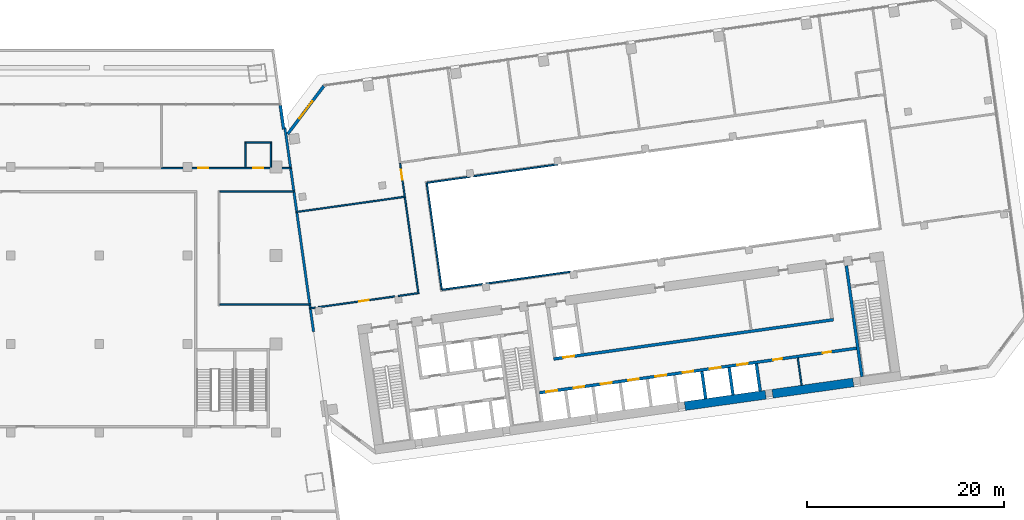
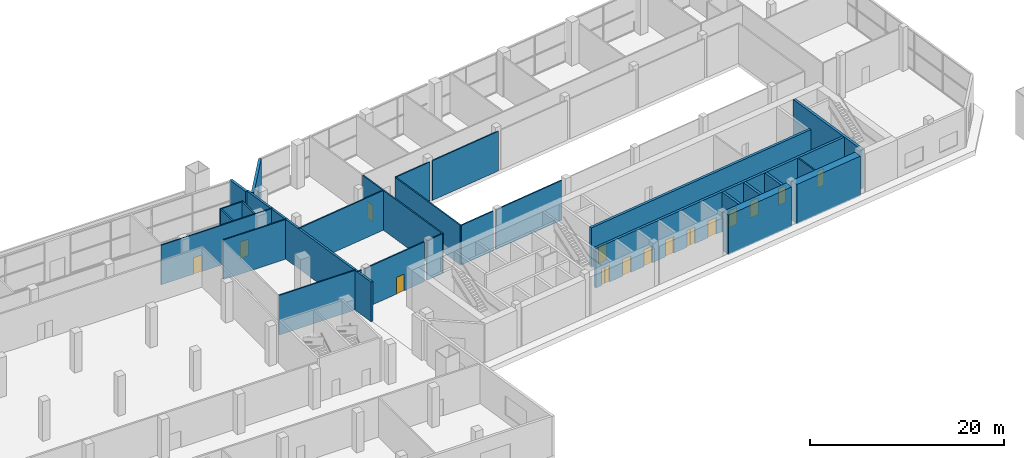
# One storey, part 16 of 23: 28 walls, 15 doors, 1 window, 16 openings.
"""IFC4 building model written with IfcOpenShell, lengths in metres."""

from ifc_helpers import new_model, si_unit, direction, frame, frame_2d, origin, place, context, subcontext, project, spatial, rectangle, extrude, material, layer, layer_set, type_object, element, fill, save


model = new_model("IFC4")

# Units and contexts
model_context = context("Model", 3, precision=1e-05, world=origin(), true_north=direction((0.0, 1.0)))
body_context = subcontext(model_context, "Body", "Model", "MODEL_VIEW")
ifc_project = project(units=[si_unit("LENGTHUNIT", "METRE"), si_unit("AREAUNIT", "SQUARE_METRE"), si_unit("VOLUMEUNIT", "CUBIC_METRE"), si_unit("PLANEANGLEUNIT", "RADIAN"), si_unit("MASSUNIT", "GRAM", prefix="KILO")], contexts=[model_context])

# Site, building, storey
site_placement = place(None, origin())
site = spatial("IfcSite", under=ifc_project, at=site_placement, CompositionType="ELEMENT")
building_placement = place(site_placement, origin())
building = spatial("IfcBuilding", under=site, at=building_placement, Name="Mirante Cascada Hotel Towers", CompositionType="ELEMENT")
storey_placement = place(building_placement, frame((0.0, 0.0, 23.5)))
storey = spatial("IfcBuildingStorey", under=building, at=storey_placement, Name="L03", CompositionType="ELEMENT", Elevation=23.5)

# Walls
ifc_material_1 = material(Name="Masonry block", Category="masonry")
ifc_layer_1 = layer(ifc_material_1, 0.15)
ifc_layer_set_1 = layer_set([ifc_layer_1], Name="Core room partition 150 block EI 30")
wall_type_1 = type_object("IfcWallType", Name="Core room partition 150 block EI 30", PredefinedType="PARTITIONING", material=ifc_layer_set_1)
wall_1_placement = place(storey_placement, frame((80.448, -13.1879, 0.0), z_axis=(0.0, 0.0, 1.0), x_axis=(-0.139176, 0.9902677, 0.0)))
element("IfcWall", 1, at=wall_1_placement, inside=storey, type_object=wall_type_1, Name="Core wall partition T2 L03 4", PredefinedType="PARTITIONING", context=body_context, shape_type="SweptSolid", body=[
    extrude(rectangle(XDim=2.8001, YDim=0.15, at=frame_2d((1.4, 0.0))), origin(), (0.0, 0.0, 1.0), 5.0),
])
ifc_material_2 = material(Name="Masonry block", Category="masonry")
ifc_layer_2 = layer(ifc_material_2, 0.15)
ifc_layer_set_2 = layer_set([ifc_layer_2], Name="Corridor wall 150 block")
wall_type_2 = type_object("IfcWallType", Name="Corridor wall 150 block", PredefinedType="PARTITIONING", material=ifc_layer_set_2)
wall_2_placement = place(storey_placement, frame((21.275, -5.0, 0.0), z_axis=(0.0, 0.0, 1.0), x_axis=(1.0, 0.0, 0.0)))
element("IfcWall", 2, at=wall_2_placement, inside=storey, type_object=wall_type_2, Name="Corridor wall P L03", PredefinedType="PARTITIONING", context=body_context, shape_type="SweptSolid", body=[
    extrude(rectangle(XDim=9.1466, YDim=0.15, at=frame_2d((4.5733, 0.0))), origin(), (0.0, 0.0, 1.0), 5.0),
])
wall_3_placement = place(storey_placement, frame((21.265, 6.5, 0.0), z_axis=(0.0, 0.0, 1.0), x_axis=(1.0, 0.0, 0.0)))
element("IfcWall", 3, at=wall_3_placement, inside=storey, type_object=wall_type_2, Name="Corridor wall P L03", PredefinedType="PARTITIONING", context=body_context, shape_type="SweptSolid", body=[
    extrude(rectangle(XDim=7.5404, YDim=0.15, at=frame_2d((3.7702, 0.0))), origin(), (0.0, 0.0, 1.0), 5.0),
])

# Wall, opening, door
wall_4_placement = place(storey_placement, frame((39.6107, 9.3732, 0.0), z_axis=(0.0, 0.0, 1.0), x_axis=(0.1391716, -0.9902683, 0.0)))
wall_4 = element("IfcWall", 4, at=wall_4_placement, inside=storey, type_object=wall_type_2, Name="Corridor wall T2 L03", PredefinedType="PARTITIONING", context=body_context, shape_type="SweptSolid", body=[
    extrude(rectangle(XDim=13.4, YDim=0.15, at=frame_2d((6.7, 0.0))), origin(), (0.0, 0.0, 1.0), 5.0),
])
opening_1_placement = place(wall_4_placement, frame((0.6675, 0.0, 0.0)))
opening_1 = element("IfcOpeningElement", 5, at=opening_1_placement, cuts=wall_4, Name="Opening DP2-L03-02", PredefinedType="OPENING", context=body_context, shape_type="SweptSolid", body=[
    extrude(rectangle(XDim=1.0, YDim=2.1, at=frame_2d((0.5, 1.05))), frame((0.0, 0.075, 0.0), z_axis=(0.0, -1.0, 0.0), x_axis=(1.0, 0.0, 0.0)), (0.0, 0.0, 1.0), 0.15),
])
ifc_material_3 = material(Name="Timber door leaf", Category="wood")
door_type_1 = type_object("IfcDoorType", Name="Single door 1000x2100", OperationType="NOTDEFINED", PredefinedType="DOOR", material=ifc_material_3)
door_1_placement = place(opening_1_placement, frame((1.0, 0.0, 0.0), z_axis=(0.0, 0.0, 1.0), x_axis=(-1.0, 0.0, 0.0)))
door_1 = element("IfcDoor", 6, at=door_1_placement, inside=storey, type_object=door_type_1, Name="Door DP2-L03-02", OperationType="SINGLE_SWING_RIGHT", OverallHeight=2.1, OverallWidth=1.0, PredefinedType="DOOR", context=body_context, shape_type="SweptSolid", body=[
    extrude(rectangle(XDim=1.0, YDim=2.1, at=frame_2d((0.5, 1.05))), frame((0.0, 0.025, 0.0), z_axis=(0.0, -1.0, 0.0), x_axis=(1.0, 0.0, 0.0)), (0.0, 0.0, 1.0), 0.05),
])
fill(opening_1, door_1)

# Walls
wall_5_placement = place(storey_placement, frame((42.3151, 7.3752, 0.0), z_axis=(0.0, 0.0, 1.0), x_axis=(0.1391674, -0.9902689, 0.0)))
element("IfcWall", 7, at=wall_5_placement, inside=storey, type_object=wall_type_2, Name="Corridor wall T2 L03", PredefinedType="PARTITIONING", context=body_context, shape_type="SweptSolid", body=[
    extrude(rectangle(XDim=10.9401, YDim=0.15, at=frame_2d((5.47, 0.0))), origin(), (0.0, 0.0, 1.0), 5.0),
])
wall_6_placement = place(storey_placement, frame((30.4732, -5.3669, 0.0), z_axis=(0.0, 0.0, 1.0), x_axis=(0.9902657, 0.1391899, 0.0)))
element("IfcWall", 8, at=wall_6_placement, inside=storey, type_object=wall_type_2, Name="Corridor wall T2 L03", PredefinedType="PARTITIONING", context=body_context, shape_type="SweptSolid", body=[
    extrude(rectangle(XDim=0.4957, YDim=0.15, at=frame_2d((0.2478, 0.0))), origin(), (0.0, 0.0, 1.0), 5.0),
])
wall_7_placement = place(storey_placement, frame((43.8715, -3.4839, 0.0), z_axis=(0.0, 0.0, 1.0), x_axis=(0.9902667, 0.1391827, 0.0)))
element("IfcWall", 9, at=wall_7_placement, inside=storey, type_object=wall_type_2, Name="Corridor wall T2 L03", PredefinedType="PARTITIONING", context=body_context, shape_type="SweptSolid", body=[
    extrude(rectangle(XDim=4.1657, YDim=0.15, at=frame_2d((2.0828, 0.0))), origin(), (0.0, 0.0, 1.0), 5.0),
])
wall_8_placement = place(storey_placement, frame((42.3406, 7.409, 0.0), z_axis=(0.0, 0.0, 1.0), x_axis=(0.9902682, 0.1391725, 0.0)))
element("IfcWall", 10, at=wall_8_placement, inside=storey, type_object=wall_type_2, Name="Corridor wall T2 L03", PredefinedType="PARTITIONING", context=body_context, shape_type="SweptSolid", body=[
    extrude(rectangle(XDim=4.4456, YDim=0.15, at=frame_2d((2.2228, 0.0))), origin(), (0.0, 0.0, 1.0), 5.0),
])

# Wall, opening, door
wall_9_placement = place(storey_placement, frame((31.2896, -5.2522, 0.0), z_axis=(0.0, 0.0, 1.0), x_axis=(0.9902676, 0.1391764, 0.0)))
wall_9 = element("IfcWall", 11, at=wall_9_placement, inside=storey, type_object=wall_type_2, Name="Corridor wall T2 L03", PredefinedType="PARTITIONING", context=body_context, shape_type="SweptSolid", body=[
    extrude(rectangle(XDim=7.8713, YDim=0.15, at=frame_2d((3.9356, 0.0))), origin(), (0.0, 0.0, 1.0), 5.0),
])
opening_2_placement = place(wall_9_placement, frame((4.193, 0.0, 0.0)))
opening_2 = element("IfcOpeningElement", 12, at=opening_2_placement, cuts=wall_9, Name="Opening DP2-L03-01", PredefinedType="OPENING", context=body_context, shape_type="SweptSolid", body=[
    extrude(rectangle(XDim=1.0, YDim=2.1, at=frame_2d((0.5, 1.05))), frame((0.0, 0.075, 0.0), z_axis=(0.0, -1.0, 0.0), x_axis=(1.0, 0.0, 0.0)), (0.0, 0.0, 1.0), 0.15),
])
door_2_placement = place(opening_2_placement, frame((1.0, 0.0, 0.0), z_axis=(0.0, 0.0, 1.0), x_axis=(-1.0, 0.0, 0.0)))
door_2 = element("IfcDoor", 13, at=door_2_placement, inside=storey, type_object=door_type_1, Name="Door DP2-L03-01", OperationType="SINGLE_SWING_LEFT", OverallHeight=2.1, OverallWidth=1.0, PredefinedType="DOOR", context=body_context, shape_type="SweptSolid", body=[
    extrude(rectangle(XDim=1.0, YDim=2.1, at=frame_2d((0.5, 1.05))), frame((0.0, 0.025, 0.0), z_axis=(0.0, -1.0, 0.0), x_axis=(1.0, 0.0, 0.0)), (0.0, 0.0, 1.0), 0.05),
])
fill(opening_2, door_2)

# Walls
wall_10_placement = place(storey_placement, frame((39.4096, -4.1109, 0.0), z_axis=(0.0, 0.0, 1.0), x_axis=(0.9902711, 0.1391512, 0.0)))
element("IfcWall", 14, at=wall_10_placement, inside=storey, type_object=wall_type_2, Name="Corridor wall T2 L03", PredefinedType="PARTITIONING", context=body_context, shape_type="SweptSolid", body=[
    extrude(rectangle(XDim=2.0108, YDim=0.15, at=frame_2d((1.0054, 0.0))), origin(), (0.0, 0.0, 1.0), 5.0),
])
wall_11_placement = place(storey_placement, frame((48.3223, -2.8584, 0.0), z_axis=(0.0, 0.0, 1.0), x_axis=(0.990268, 0.1391735, 0.0)))
element("IfcWall", 15, at=wall_11_placement, inside=storey, type_object=wall_type_2, Name="Corridor wall T2 L03", PredefinedType="PARTITIONING", context=body_context, shape_type="SweptSolid", body=[
    extrude(rectangle(XDim=8.6712, YDim=0.15, at=frame_2d((4.3356, 0.0))), origin(), (0.0, 0.0, 1.0), 5.0),
])
wall_12_placement = place(storey_placement, frame((47.0684, 8.0735, 0.0), z_axis=(0.0, 0.0, 1.0), x_axis=(0.9902682, 0.139172, 0.0)))
element("IfcWall", 16, at=wall_12_placement, inside=storey, type_object=wall_type_2, Name="Corridor wall T2 L03", PredefinedType="PARTITIONING", context=body_context, shape_type="SweptSolid", body=[
    extrude(rectangle(XDim=8.6713, YDim=0.15, at=frame_2d((4.3356, 0.0))), origin(), (0.0, 0.0, 1.0), 5.0),
])
ifc_material_4 = material(Name="Masonry block", Category="masonry")
ifc_layer_3 = layer(ifc_material_4, 0.15)
ifc_layer_set_3 = layer_set([ifc_layer_3], Name="Partition 150 block")
wall_type_3 = type_object("IfcWallType", Name="Partition 150 block", PredefinedType="PARTITIONING", material=ifc_layer_set_3)
wall_13_placement = place(storey_placement, frame((29.0954, 4.4367, 0.0), z_axis=(0.0, 0.0, 1.0), x_axis=(0.9902679, 0.1391746, 0.0)))
element("IfcWall", 17, at=wall_13_placement, inside=storey, type_object=wall_type_3, Name="Partition T2 L03", PredefinedType="PARTITIONING", context=body_context, shape_type="SweptSolid", body=[
    extrude(rectangle(XDim=11.025, YDim=0.15, at=frame_2d((5.5125, 0.0))), origin(), (0.0, 0.0, 1.0), 5.0),
])
ifc_material_5 = material(Name="Masonry block", Category="masonry")
ifc_layer_4 = layer(ifc_material_5, 0.25)
ifc_layer_set_4 = layer_set([ifc_layer_4], Name="Plant room wall 250 block EI 120")
wall_type_4 = type_object("IfcWallType", Name="Plant room wall 250 block EI 120", PredefinedType="PARTITIONING", material=ifc_layer_set_4)
wall_14_placement = place(storey_placement, frame((30.8072, -7.7436, 0.0), z_axis=(0.0, 0.0, 1.0), x_axis=(-0.1391737, 0.990268, 0.0)))
element("IfcWall", 18, at=wall_14_placement, inside=storey, type_object=wall_type_4, Name="Compartment wall T2 L03", PredefinedType="PARTITIONING", context=body_context, shape_type="SweptSolid", body=[
    extrude(rectangle(XDim=20.9501, YDim=0.25, at=frame_2d((10.475, 0.0))), origin(), (0.0, 0.0, 1.0), 5.0),
])

# Wall, opening, window
ifc_material_6 = material(Name="Precast concrete C40/50", Category="concrete")
ifc_layer_5 = layer(ifc_material_6, 0.3)
ifc_layer_set_5 = layer_set([ifc_layer_5], Name="Precast concrete C40/50 cladding wall 300")
wall_type_5 = type_object("IfcWallType", Name="Precast concrete C40/50 cladding wall 300", PredefinedType="STANDARD", material=ifc_layer_set_5)
wall_15_placement = place(storey_placement, frame((31.857, 17.252, 0.0), z_axis=(0.0, 0.0, 1.0), x_axis=(-0.6018141, -0.7986362, 0.0)))
wall_15 = element("IfcWall", 19, at=wall_15_placement, inside=storey, type_object=wall_type_5, Name="Corner cladding wall T2 L03 front inner", PredefinedType="STANDARD", context=body_context, shape_type="SweptSolid", body=[
    extrude(rectangle(XDim=6.1157, YDim=0.3, at=frame_2d((3.0578, 0.0))), origin(), (0.0, 0.0, 1.0), 5.0),
])
opening_3_placement = place(wall_15_placement, frame((1.9578, 0.0, 0.6)))
opening_3 = element("IfcOpeningElement", 20, at=opening_3_placement, cuts=wall_15, Name="Opening W2-03-04", PredefinedType="OPENING", context=body_context, shape_type="SweptSolid", body=[
    extrude(rectangle(XDim=2.2, YDim=2.4, at=frame_2d((1.1, 1.2))), frame((0.0, 0.15, 0.0), z_axis=(0.0, -1.0, 0.0), x_axis=(1.0, 0.0, 0.0)), (0.0, 0.0, 1.0), 0.3),
])
ifc_material_7 = material(Name="Aluminium frame with clear double glazing", Category="aluminium")
window_type = type_object("IfcWindowType", Name="Corner suite window 2200x2400", PartitioningType="DOUBLE_PANEL_VERTICAL", PredefinedType="WINDOW", material=ifc_material_7)
window_placement = place(opening_3_placement, origin())
window = element("IfcWindow", 21, at=window_placement, inside=storey, type_object=window_type, Name="Window W2-03-04", OverallHeight=2.4, OverallWidth=2.2, PartitioningType="SINGLE_PANEL", PredefinedType="WINDOW", context=body_context, shape_type="SweptSolid", body=[
    extrude(rectangle(XDim=2.2, YDim=2.4, at=frame_2d((1.1, 1.2))), frame((0.0, 0.03, 0.0), z_axis=(0.0, -1.0, 0.0), x_axis=(1.0, 0.0, 0.0)), (0.0, 0.0, 1.0), 0.06),
])
fill(opening_3, window)

# Walls
wall_16_placement = place(storey_placement, frame((27.3892, 15.4989, 0.0), z_axis=(0.0, 0.0, 1.0), x_axis=(0.1391889, -0.9902659, 0.0)))
element("IfcWall", 22, at=wall_16_placement, inside=storey, type_object=wall_type_5, Name="Corner closure wall L03 2.1", PredefinedType="STANDARD", context=body_context, shape_type="SweptSolid", body=[
    extrude(rectangle(XDim=2.6719, YDim=0.3, at=frame_2d((1.336, 0.0))), origin(), (0.0, 0.0, 1.0), 5.0),
])
ifc_material_8 = material(Name="Concrete C50/60", Category="concrete")
ifc_layer_6 = layer(ifc_material_8, 0.3)
ifc_layer_set_6 = layer_set([ifc_layer_6], Name="RC core wall 300 C50/60")
wall_type_6 = type_object("IfcWallType", Name="RC core wall 300 C50/60", PredefinedType="SHEAR", material=ifc_layer_set_6)
wall_17_placement = place(storey_placement, frame((86.5877, -12.325, 0.0), z_axis=(0.0, 0.0, 1.0), x_axis=(-0.1391749, 0.9902678, 0.0)))
element("IfcWall", 23, at=wall_17_placement, inside=storey, type_object=wall_type_6, Name="Core wall T2:L03:8", PredefinedType="SHEAR", context=body_context, shape_type="SweptSolid", body=[
    extrude(rectangle(XDim=11.4, YDim=0.3, at=frame_2d((5.7, 0.0))), origin(), (0.0, 0.0, 1.0), 5.0),
])

# Wall, openings, doors
wall_18_placement = place(storey_placement, frame((53.7953, -13.9547, 0.0), z_axis=(0.0, 0.0, 1.0), x_axis=(0.990268, 0.1391733, 0.0)))
wall_18 = element("IfcWall", 24, at=wall_18_placement, inside=storey, type_object=wall_type_6, Name="Core wall T2:L03:24", PredefinedType="SHEAR", context=body_context, shape_type="SweptSolid", body=[
    extrude(rectangle(XDim=32.5501, YDim=0.3, at=frame_2d((16.275, 0.0))), origin(), (0.0, 0.0, 1.0), 5.0),
])
opening_4_placement = place(wall_18_placement, frame((0.7, 0.0, 0.0)))
opening_4 = element("IfcOpeningElement", 25, at=opening_4_placement, cuts=wall_18, Name="Opening LD", PredefinedType="OPENING", context=body_context, shape_type="SweptSolid", body=[
    extrude(rectangle(XDim=1.1, YDim=2.1, at=frame_2d((0.55, 1.05))), frame((0.0, 0.15, 0.0), z_axis=(0.0, -1.0, 0.0), x_axis=(1.0, 0.0, 0.0)), (0.0, 0.0, 1.0), 0.3),
])
opening_5_placement = place(wall_18_placement, frame((3.5, 0.0, 0.0)))
opening_5 = element("IfcOpeningElement", 26, at=opening_5_placement, cuts=wall_18, Name="Opening LD", PredefinedType="OPENING", context=body_context, shape_type="SweptSolid", body=[
    extrude(rectangle(XDim=1.1, YDim=2.1, at=frame_2d((0.55, 1.05))), frame((0.0, 0.15, 0.0), z_axis=(0.0, -1.0, 0.0), x_axis=(1.0, 0.0, 0.0)), (0.0, 0.0, 1.0), 0.3),
])
opening_6_placement = place(wall_18_placement, frame((6.3, 0.0, 0.0)))
opening_6 = element("IfcOpeningElement", 27, at=opening_6_placement, cuts=wall_18, Name="Opening LD", PredefinedType="OPENING", context=body_context, shape_type="SweptSolid", body=[
    extrude(rectangle(XDim=1.1, YDim=2.1, at=frame_2d((0.55, 1.05))), frame((0.0, 0.15, 0.0), z_axis=(0.0, -1.0, 0.0), x_axis=(1.0, 0.0, 0.0)), (0.0, 0.0, 1.0), 0.3),
])
opening_7_placement = place(wall_18_placement, frame((9.1, 0.0, 0.0)))
opening_7 = element("IfcOpeningElement", 28, at=opening_7_placement, cuts=wall_18, Name="Opening LD", PredefinedType="OPENING", context=body_context, shape_type="SweptSolid", body=[
    extrude(rectangle(XDim=1.1, YDim=2.1, at=frame_2d((0.55, 1.05))), frame((0.0, 0.15, 0.0), z_axis=(0.0, -1.0, 0.0), x_axis=(1.0, 0.0, 0.0)), (0.0, 0.0, 1.0), 0.3),
])
opening_8_placement = place(wall_18_placement, frame((11.9, 0.0, 0.0)))
opening_8 = element("IfcOpeningElement", 29, at=opening_8_placement, cuts=wall_18, Name="Opening LD", PredefinedType="OPENING", context=body_context, shape_type="SweptSolid", body=[
    extrude(rectangle(XDim=1.1, YDim=2.1, at=frame_2d((0.55, 1.05))), frame((0.0, 0.15, 0.0), z_axis=(0.0, -1.0, 0.0), x_axis=(1.0, 0.0, 0.0)), (0.0, 0.0, 1.0), 0.3),
])
opening_9_placement = place(wall_18_placement, frame((14.7, 0.0, 0.0)))
opening_9 = element("IfcOpeningElement", 30, at=opening_9_placement, cuts=wall_18, Name="Opening LD", PredefinedType="OPENING", context=body_context, shape_type="SweptSolid", body=[
    extrude(rectangle(XDim=1.1, YDim=2.1, at=frame_2d((0.55, 1.05))), frame((0.0, 0.15, 0.0), z_axis=(0.0, -1.0, 0.0), x_axis=(1.0, 0.0, 0.0)), (0.0, 0.0, 1.0), 0.3),
])
opening_10_placement = place(wall_18_placement, frame((17.5, 0.0, 0.0)))
opening_10 = element("IfcOpeningElement", 31, at=opening_10_placement, cuts=wall_18, Name="Opening LD", PredefinedType="OPENING", context=body_context, shape_type="SweptSolid", body=[
    extrude(rectangle(XDim=1.1, YDim=2.1, at=frame_2d((0.55, 1.05))), frame((0.0, 0.15, 0.0), z_axis=(0.0, -1.0, 0.0), x_axis=(1.0, 0.0, 0.0)), (0.0, 0.0, 1.0), 0.3),
])
opening_11_placement = place(wall_18_placement, frame((20.3, 0.0, 0.0)))
opening_11 = element("IfcOpeningElement", 32, at=opening_11_placement, cuts=wall_18, Name="Opening LD", PredefinedType="OPENING", context=body_context, shape_type="SweptSolid", body=[
    extrude(rectangle(XDim=1.1, YDim=2.1, at=frame_2d((0.55, 1.05))), frame((0.0, 0.15, 0.0), z_axis=(0.0, -1.0, 0.0), x_axis=(1.0, 0.0, 0.0)), (0.0, 0.0, 1.0), 0.3),
])
opening_12_placement = place(wall_18_placement, frame((24.0, 0.0, 0.0)))
opening_12 = element("IfcOpeningElement", 33, at=opening_12_placement, cuts=wall_18, Name="Opening D2-03-C28", PredefinedType="OPENING", context=body_context, shape_type="SweptSolid", body=[
    extrude(rectangle(XDim=0.9, YDim=2.1, at=frame_2d((0.45, 1.05))), frame((0.0, 0.15, 0.0), z_axis=(0.0, -1.0, 0.0), x_axis=(1.0, 0.0, 0.0)), (0.0, 0.0, 1.0), 0.3),
])
opening_13_placement = place(wall_18_placement, frame((29.075, 0.0, 0.0)))
opening_13 = element("IfcOpeningElement", 34, at=opening_13_placement, cuts=wall_18, Name="Opening D2-03-C29", PredefinedType="OPENING", context=body_context, shape_type="SweptSolid", body=[
    extrude(rectangle(XDim=0.9, YDim=2.1, at=frame_2d((0.45, 1.05))), frame((0.0, 0.15, 0.0), z_axis=(0.0, -1.0, 0.0), x_axis=(1.0, 0.0, 0.0)), (0.0, 0.0, 1.0), 0.3),
])
ifc_material_9 = material(Name="Hollow metal fire door leaf")
door_type_2 = type_object("IfcDoorType", Name="Fire door 900x2100 FD60", OperationType="NOTDEFINED", PredefinedType="DOOR", material=ifc_material_9)
door_3_placement = place(opening_12_placement, frame((0.9, 0.0, 0.0), z_axis=(0.0, 0.0, 1.0), x_axis=(-1.0, 0.0, 0.0)))
door_3 = element("IfcDoor", 35, at=door_3_placement, inside=storey, type_object=door_type_2, Name="Room door T2 L03 28", OperationType="SINGLE_SWING_RIGHT", OverallHeight=2.1, OverallWidth=0.9, PredefinedType="DOOR", context=body_context, shape_type="SweptSolid", body=[
    extrude(rectangle(XDim=0.9, YDim=2.1, at=frame_2d((0.45, 1.05))), frame((0.0, 0.025, 0.0), z_axis=(0.0, -1.0, 0.0), x_axis=(1.0, 0.0, 0.0)), (0.0, 0.0, 1.0), 0.05),
])
fill(opening_12, door_3)
door_4_placement = place(opening_13_placement, frame((0.9, 0.0, 0.0), z_axis=(0.0, 0.0, 1.0), x_axis=(-1.0, 0.0, 0.0)))
door_4 = element("IfcDoor", 36, at=door_4_placement, inside=storey, type_object=door_type_2, Name="Room door T2 L03 29", OperationType="SINGLE_SWING_RIGHT", OverallHeight=2.1, OverallWidth=0.9, PredefinedType="DOOR", context=body_context, shape_type="SweptSolid", body=[
    extrude(rectangle(XDim=0.9, YDim=2.1, at=frame_2d((0.45, 1.05))), frame((0.0, 0.025, 0.0), z_axis=(0.0, -1.0, 0.0), x_axis=(1.0, 0.0, 0.0)), (0.0, 0.0, 1.0), 0.05),
])
fill(opening_13, door_4)
ifc_material_10 = material(Name="Stainless steel", Category="steel")
door_type_3 = type_object("IfcDoorType", Name="Lift landing door 1100x2100 EI 120", OperationType="DOUBLE_DOOR_SLIDING", PredefinedType="DOOR", material=ifc_material_10)
door_5_placement = place(opening_4_placement, origin())
door_5 = element("IfcDoor", 37, at=door_5_placement, inside=storey, type_object=door_type_3, Name="Lift landing door LR2-1 L03", OperationType="DOUBLE_DOOR_SLIDING", OverallHeight=2.1, OverallWidth=1.1, PredefinedType="DOOR", context=body_context, shape_type="SweptSolid", body=[
    extrude(rectangle(XDim=0.545, YDim=2.1, at=frame_2d((0.2725, 1.05))), frame((0.0, 0.025, 0.0), z_axis=(0.0, -1.0, 0.0), x_axis=(1.0, 0.0, 0.0)), (0.0, 0.0, 1.0), 0.05),
    extrude(rectangle(XDim=0.545, YDim=2.1, at=frame_2d((0.8275, 1.05))), frame((0.0, 0.025, 0.0), z_axis=(0.0, -1.0, 0.0), x_axis=(1.0, 0.0, 0.0)), (0.0, 0.0, 1.0), 0.05),
])
fill(opening_4, door_5)
door_6_placement = place(opening_5_placement, origin())
door_6 = element("IfcDoor", 38, at=door_6_placement, inside=storey, type_object=door_type_3, Name="Lift landing door LR2-2 L03", OperationType="DOUBLE_DOOR_SLIDING", OverallHeight=2.1, OverallWidth=1.1, PredefinedType="DOOR", context=body_context, shape_type="SweptSolid", body=[
    extrude(rectangle(XDim=0.545, YDim=2.1, at=frame_2d((0.2725, 1.05))), frame((0.0, 0.025, 0.0), z_axis=(0.0, -1.0, 0.0), x_axis=(1.0, 0.0, 0.0)), (0.0, 0.0, 1.0), 0.05),
    extrude(rectangle(XDim=0.545, YDim=2.1, at=frame_2d((0.8275, 1.05))), frame((0.0, 0.025, 0.0), z_axis=(0.0, -1.0, 0.0), x_axis=(1.0, 0.0, 0.0)), (0.0, 0.0, 1.0), 0.05),
])
fill(opening_5, door_6)
door_7_placement = place(opening_6_placement, origin())
door_7 = element("IfcDoor", 39, at=door_7_placement, inside=storey, type_object=door_type_3, Name="Lift landing door SV2-1 L03", OperationType="DOUBLE_DOOR_SLIDING", OverallHeight=2.1, OverallWidth=1.1, PredefinedType="DOOR", context=body_context, shape_type="SweptSolid", body=[
    extrude(rectangle(XDim=0.545, YDim=2.1, at=frame_2d((0.2725, 1.05))), frame((0.0, 0.025, 0.0), z_axis=(0.0, -1.0, 0.0), x_axis=(1.0, 0.0, 0.0)), (0.0, 0.0, 1.0), 0.05),
    extrude(rectangle(XDim=0.545, YDim=2.1, at=frame_2d((0.8275, 1.05))), frame((0.0, 0.025, 0.0), z_axis=(0.0, -1.0, 0.0), x_axis=(1.0, 0.0, 0.0)), (0.0, 0.0, 1.0), 0.05),
])
fill(opening_6, door_7)
door_8_placement = place(opening_7_placement, origin())
door_8 = element("IfcDoor", 40, at=door_8_placement, inside=storey, type_object=door_type_3, Name="Lift landing door SV2-2 L03", OperationType="DOUBLE_DOOR_SLIDING", OverallHeight=2.1, OverallWidth=1.1, PredefinedType="DOOR", context=body_context, shape_type="SweptSolid", body=[
    extrude(rectangle(XDim=0.545, YDim=2.1, at=frame_2d((0.2725, 1.05))), frame((0.0, 0.025, 0.0), z_axis=(0.0, -1.0, 0.0), x_axis=(1.0, 0.0, 0.0)), (0.0, 0.0, 1.0), 0.05),
    extrude(rectangle(XDim=0.545, YDim=2.1, at=frame_2d((0.8275, 1.05))), frame((0.0, 0.025, 0.0), z_axis=(0.0, -1.0, 0.0), x_axis=(1.0, 0.0, 0.0)), (0.0, 0.0, 1.0), 0.05),
])
fill(opening_7, door_8)
door_9_placement = place(opening_8_placement, origin())
door_9 = element("IfcDoor", 41, at=door_9_placement, inside=storey, type_object=door_type_3, Name="Lift landing door SV2-3 L03", OperationType="DOUBLE_DOOR_SLIDING", OverallHeight=2.1, OverallWidth=1.1, PredefinedType="DOOR", context=body_context, shape_type="SweptSolid", body=[
    extrude(rectangle(XDim=0.545, YDim=2.1, at=frame_2d((0.2725, 1.05))), frame((0.0, 0.025, 0.0), z_axis=(0.0, -1.0, 0.0), x_axis=(1.0, 0.0, 0.0)), (0.0, 0.0, 1.0), 0.05),
    extrude(rectangle(XDim=0.545, YDim=2.1, at=frame_2d((0.8275, 1.05))), frame((0.0, 0.025, 0.0), z_axis=(0.0, -1.0, 0.0), x_axis=(1.0, 0.0, 0.0)), (0.0, 0.0, 1.0), 0.05),
])
fill(opening_8, door_9)
door_10_placement = place(opening_9_placement, origin())
door_10 = element("IfcDoor", 42, at=door_10_placement, inside=storey, type_object=door_type_3, Name="Lift landing door SV2-4 L03", OperationType="DOUBLE_DOOR_SLIDING", OverallHeight=2.1, OverallWidth=1.1, PredefinedType="DOOR", context=body_context, shape_type="SweptSolid", body=[
    extrude(rectangle(XDim=0.545, YDim=2.1, at=frame_2d((0.2725, 1.05))), frame((0.0, 0.025, 0.0), z_axis=(0.0, -1.0, 0.0), x_axis=(1.0, 0.0, 0.0)), (0.0, 0.0, 1.0), 0.05),
    extrude(rectangle(XDim=0.545, YDim=2.1, at=frame_2d((0.8275, 1.05))), frame((0.0, 0.025, 0.0), z_axis=(0.0, -1.0, 0.0), x_axis=(1.0, 0.0, 0.0)), (0.0, 0.0, 1.0), 0.05),
])
fill(opening_9, door_10)
door_11_placement = place(opening_10_placement, origin())
door_11 = element("IfcDoor", 43, at=door_11_placement, inside=storey, type_object=door_type_3, Name="Lift landing door PS2-1 L03", OperationType="DOUBLE_DOOR_SLIDING", OverallHeight=2.1, OverallWidth=1.1, PredefinedType="DOOR", context=body_context, shape_type="SweptSolid", body=[
    extrude(rectangle(XDim=0.545, YDim=2.1, at=frame_2d((0.2725, 1.05))), frame((0.0, 0.025, 0.0), z_axis=(0.0, -1.0, 0.0), x_axis=(1.0, 0.0, 0.0)), (0.0, 0.0, 1.0), 0.05),
    extrude(rectangle(XDim=0.545, YDim=2.1, at=frame_2d((0.8275, 1.05))), frame((0.0, 0.025, 0.0), z_axis=(0.0, -1.0, 0.0), x_axis=(1.0, 0.0, 0.0)), (0.0, 0.0, 1.0), 0.05),
])
fill(opening_10, door_11)
door_12_placement = place(opening_11_placement, origin())
door_12 = element("IfcDoor", 44, at=door_12_placement, inside=storey, type_object=door_type_3, Name="Lift landing door PS2-2 L03", OperationType="DOUBLE_DOOR_SLIDING", OverallHeight=2.1, OverallWidth=1.1, PredefinedType="DOOR", context=body_context, shape_type="SweptSolid", body=[
    extrude(rectangle(XDim=0.545, YDim=2.1, at=frame_2d((0.2725, 1.05))), frame((0.0, 0.025, 0.0), z_axis=(0.0, -1.0, 0.0), x_axis=(1.0, 0.0, 0.0)), (0.0, 0.0, 1.0), 0.05),
    extrude(rectangle(XDim=0.545, YDim=2.1, at=frame_2d((0.8275, 1.05))), frame((0.0, 0.025, 0.0), z_axis=(0.0, -1.0, 0.0), x_axis=(1.0, 0.0, 0.0)), (0.0, 0.0, 1.0), 0.05),
])
fill(opening_11, door_12)

# Walls
for number, where, z_axis, x_axis, name in (
    (45, (70.6939, -14.5587, 0.0), (0.0, 0.0, 1.0), (-0.139181, 0.990267, 0.0), "Core wall T2:L03:30"),
    (46, (73.4666, -14.169, 0.0), (0.0, 0.0, 1.0), (-0.139181, 0.990267, 0.0), "Core wall T2:L03:31"),
):
    element("IfcWall", number, at=place(storey_placement, frame(where, z_axis=z_axis, x_axis=x_axis)), inside=storey, type_object=wall_type_6, Name=name, PredefinedType="SHEAR", context=body_context, shape_type="SweptSolid", body=[
        extrude(rectangle(XDim=2.8, YDim=0.3, at=frame_2d((1.4, 0.0))), origin(), (0.0, 0.0, 1.0), 5.0),
    ])
wall_19_placement = place(storey_placement, frame((76.2394, -13.7794, 0.0), z_axis=(0.0, 0.0, 1.0), x_axis=(-0.139176, 0.9902677, 0.0)))
element("IfcWall", 47, at=wall_19_placement, inside=storey, type_object=wall_type_6, Name="Core wall T2:L03:32", PredefinedType="SHEAR", context=body_context, shape_type="SweptSolid", body=[
    extrude(rectangle(XDim=2.8001, YDim=0.3, at=frame_2d((1.4, 0.0))), origin(), (0.0, 0.0, 1.0), 5.0),
])

# Wall, opening, door
wall_20_placement = place(storey_placement, frame((55.2315, -10.5214, 0.0), z_axis=(0.0, 0.0, 1.0), x_axis=(0.9902682, 0.1391722, 0.0)))
wall_20 = element("IfcWall", 48, at=wall_20_placement, inside=storey, type_object=wall_type_6, Name="Core wall T2:L03:34", PredefinedType="SHEAR", context=body_context, shape_type="SweptSolid", body=[
    extrude(rectangle(XDim=28.75, YDim=0.3, at=frame_2d((14.375, 0.0))), origin(), (0.0, 0.0, 1.0), 5.0),
])
opening_14_placement = place(wall_20_placement, frame((1.0, 0.0, 0.0)))
opening_14 = element("IfcOpeningElement", 49, at=opening_14_placement, cuts=wall_20, Name="Opening LD", PredefinedType="OPENING", context=body_context, shape_type="SweptSolid", body=[
    extrude(rectangle(XDim=1.1, YDim=2.1, at=frame_2d((0.55, 1.05))), frame((0.0, 0.15, 0.0), z_axis=(0.0, -1.0, 0.0), x_axis=(1.0, 0.0, 0.0)), (0.0, 0.0, 1.0), 0.3),
])
door_13_placement = place(opening_14_placement, origin())
door_13 = element("IfcDoor", 50, at=door_13_placement, inside=storey, type_object=door_type_3, Name="Lift landing door LR2-3 L03", OperationType="DOUBLE_DOOR_SLIDING", OverallHeight=2.1, OverallWidth=1.1, PredefinedType="DOOR", context=body_context, shape_type="SweptSolid", body=[
    extrude(rectangle(XDim=0.545, YDim=2.1, at=frame_2d((0.2725, 1.05))), frame((0.0, 0.025, 0.0), z_axis=(0.0, -1.0, 0.0), x_axis=(1.0, 0.0, 0.0)), (0.0, 0.0, 1.0), 0.05),
    extrude(rectangle(XDim=0.545, YDim=2.1, at=frame_2d((0.8275, 1.05))), frame((0.0, 0.025, 0.0), z_axis=(0.0, -1.0, 0.0), x_axis=(1.0, 0.0, 0.0)), (0.0, 0.0, 1.0), 0.05),
])
fill(opening_14, door_13)

# Walls
ifc_material_11 = material(Name="Concrete C50/60", Category="concrete")
ifc_layer_7 = layer(ifc_material_11, 0.9)
ifc_layer_set_7 = layer_set([ifc_layer_7], Name="RC core wall 900 C50/60")
wall_type_7 = type_object("IfcWallType", Name="RC core wall 900 C50/60", PredefinedType="SHEAR", material=ifc_layer_set_7)
for number, where, z_axis, x_axis, name in (
    (51, (68.5779, -15.3105, 0.0), (0.0, 0.0, 1.0), (0.9902686, 0.1391692, 0.0), "Core wall T2:L03:1.5"),
    (52, (77.4903, -14.058, 0.0), (0.0, 0.0, 1.0), (0.990267, 0.139181, 0.0), "Core wall T2:L03:1.6"),
):
    element("IfcWall", number, at=place(storey_placement, frame(where, z_axis=z_axis, x_axis=x_axis)), inside=storey, type_object=wall_type_7, Name=name, PredefinedType="SHEAR", context=body_context, shape_type="SweptSolid", body=[
        extrude(rectangle(XDim=8.3, YDim=0.9, at=frame_2d((4.15, 0.0))), origin(), (0.0, 0.0, 1.0), 5.0),
    ])

# Wall, openings, doors
ifc_material_12 = material(Name="Masonry block", Category="masonry")
ifc_layer_8 = layer(ifc_material_12, 0.15)
ifc_layer_set_8 = layer_set([ifc_layer_8], Name="Wet room wall 150 block")
wall_type_8 = type_object("IfcWallType", Name="Wet room wall 150 block", PredefinedType="PARTITIONING", material=ifc_layer_set_8)
wall_21_placement = place(storey_placement, frame((15.244, 8.9, 0.0), z_axis=(0.0, 0.0, 1.0), x_axis=(1.0, 0.0, 0.0)))
wall_21 = element("IfcWall", 53, at=wall_21_placement, inside=storey, type_object=wall_type_8, Name="Wet room wall P L03", PredefinedType="PARTITIONING", context=body_context, shape_type="SweptSolid", body=[
    extrude(rectangle(XDim=13.2241, YDim=0.15, at=frame_2d((6.612, 0.0))), origin(), (0.0, 0.0, 1.0), 5.0),
])
opening_15_placement = place(wall_21_placement, frame((3.8545, 0.0, 0.0)))
opening_15 = element("IfcOpeningElement", 54, at=opening_15_placement, cuts=wall_21, Name="Opening DP-L03-17", PredefinedType="OPENING", context=body_context, shape_type="SweptSolid", body=[
    extrude(rectangle(XDim=1.0, YDim=2.1, at=frame_2d((0.5, 1.05))), frame((0.0, 0.075, 0.0), z_axis=(0.0, -1.0, 0.0), x_axis=(1.0, 0.0, 0.0)), (0.0, 0.0, 1.0), 0.15),
])
opening_16_placement = place(wall_21_placement, frame((9.4241, 0.0, 0.0)))
opening_16 = element("IfcOpeningElement", 55, at=opening_16_placement, cuts=wall_21, Name="Opening DP-L03-18", PredefinedType="OPENING", context=body_context, shape_type="SweptSolid", body=[
    extrude(rectangle(XDim=1.0, YDim=2.1, at=frame_2d((0.5, 1.05))), frame((0.0, 0.075, 0.0), z_axis=(0.0, -1.0, 0.0), x_axis=(1.0, 0.0, 0.0)), (0.0, 0.0, 1.0), 0.15),
])
door_14_placement = place(opening_15_placement, origin())
door_14 = element("IfcDoor", 56, at=door_14_placement, inside=storey, type_object=door_type_1, Name="Door DP-L03-17", OperationType="SINGLE_SWING_LEFT", OverallHeight=2.1, OverallWidth=1.0, PredefinedType="DOOR", context=body_context, shape_type="SweptSolid", body=[
    extrude(rectangle(XDim=1.0, YDim=2.1, at=frame_2d((0.5, 1.05))), frame((0.0, 0.025, 0.0), z_axis=(0.0, -1.0, 0.0), x_axis=(1.0, 0.0, 0.0)), (0.0, 0.0, 1.0), 0.05),
])
fill(opening_15, door_14)
door_15_placement = place(opening_16_placement, origin())
door_15 = element("IfcDoor", 57, at=door_15_placement, inside=storey, type_object=door_type_1, Name="Door DP-L03-18", OperationType="SINGLE_SWING_RIGHT", OverallHeight=2.1, OverallWidth=1.0, PredefinedType="DOOR", context=body_context, shape_type="SweptSolid", body=[
    extrude(rectangle(XDim=1.0, YDim=2.1, at=frame_2d((0.5, 1.05))), frame((0.0, 0.025, 0.0), z_axis=(0.0, -1.0, 0.0), x_axis=(1.0, 0.0, 0.0)), (0.0, 0.0, 1.0), 0.05),
])
fill(opening_16, door_15)

# Walls
wall_22_placement = place(storey_placement, frame((23.7931, 11.5, 0.0), z_axis=(0.0, 0.0, 1.0), x_axis=(1.0, 0.0, 0.0)))
element("IfcWall", 58, at=wall_22_placement, inside=storey, type_object=wall_type_8, Name="Wet room wall P L03", PredefinedType="PARTITIONING", context=body_context, shape_type="SweptSolid", body=[
    extrude(rectangle(XDim=2.75, YDim=0.15, at=frame_2d((1.375, 0.0))), origin(), (0.0, 0.0, 1.0), 5.0),
])
for number, where, z_axis, x_axis, name in (
    (59, (26.4681, 8.975, 0.0), (0.0, 0.0, 1.0), (0.0, 1.0, 0.0), "Wet room wall P L03"),
    (60, (23.8681, 8.975, 0.0), (0.0, 0.0, 1.0), (0.0, 1.0, 0.0), "Wet room wall P L03"),
):
    element("IfcWall", number, at=place(storey_placement, frame(where, z_axis=z_axis, x_axis=x_axis)), inside=storey, type_object=wall_type_8, Name=name, PredefinedType="PARTITIONING", context=body_context, shape_type="SweptSolid", body=[
        extrude(rectangle(XDim=2.45, YDim=0.15, at=frame_2d((1.225, 0.0))), origin(), (0.0, 0.0, 1.0), 5.0),
    ])

save(model, "model.ifc")
